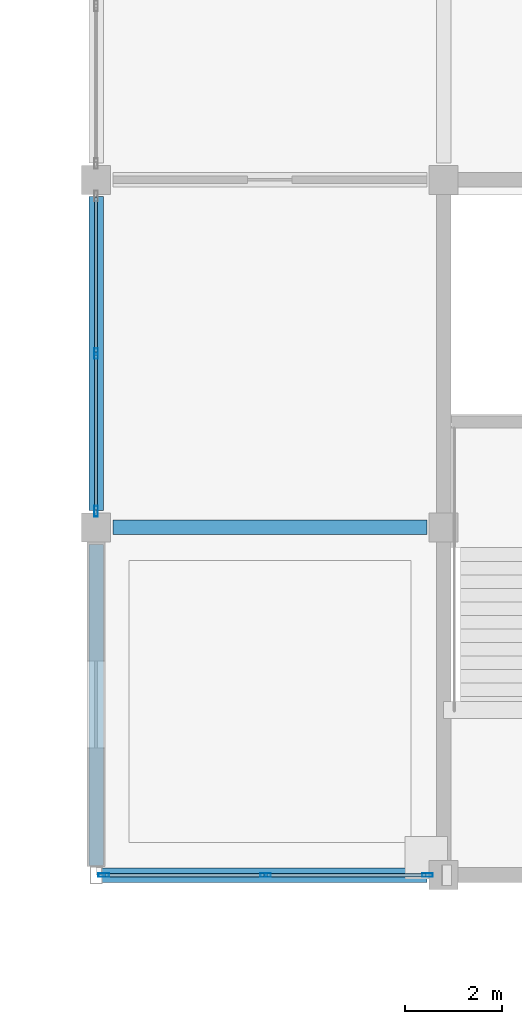
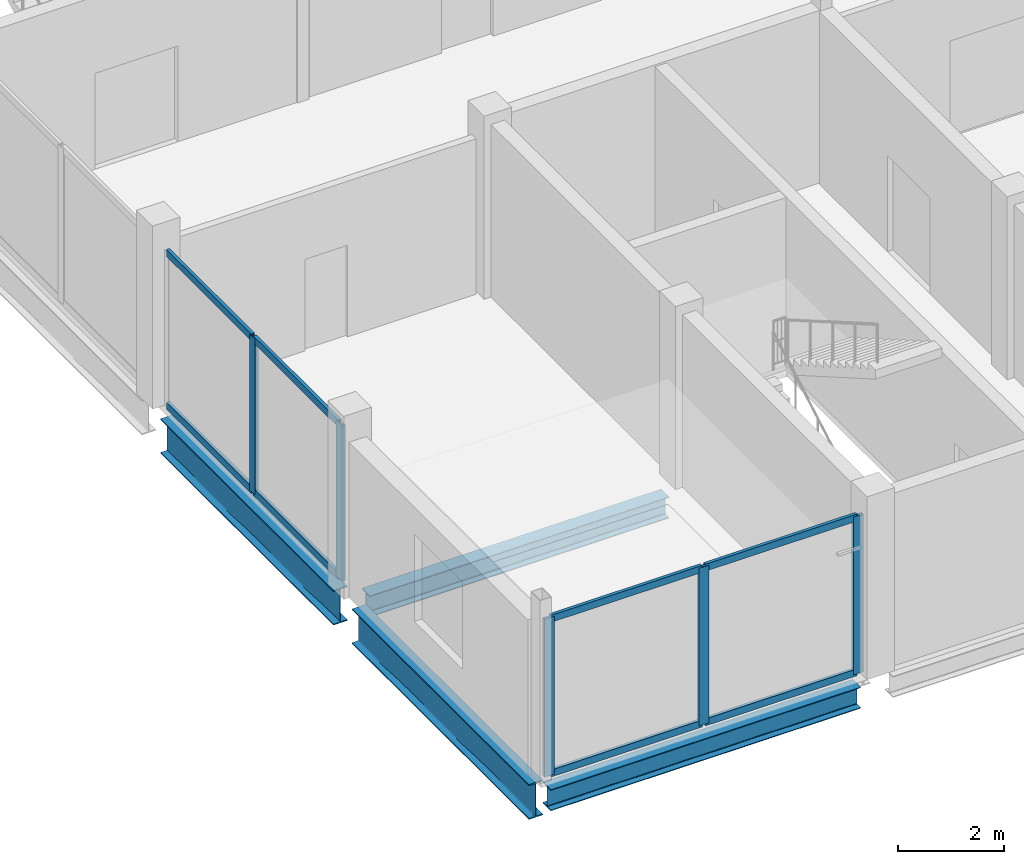
# One storey, part 9 of 51: 13 members, 4 beams, 2 elements without a shape of their own.
"""IFC4 building model written with IfcOpenShell, lengths in metres."""

from ifc_helpers import new_model, si_unit, direction, frame, origin, origin_2d, place, context, subcontext, project, spatial, hollow_rectangle, i_section, extrude, material, material_profile, profile_set, type_object, element, aggregate, save


model = new_model("IFC4")

# Units and contexts
model_context = context("Model", 3, precision=1e-05, world=origin(), true_north=direction((0.0, 1.0)))
body_context = subcontext(model_context, "Body", "Model", "MODEL_VIEW")
ifc_project = project(units=[si_unit("LENGTHUNIT", "METRE"), si_unit("AREAUNIT", "SQUARE_METRE"), si_unit("VOLUMEUNIT", "CUBIC_METRE"), si_unit("PLANEANGLEUNIT", "RADIAN"), si_unit("MASSUNIT", "GRAM", prefix="KILO")], contexts=[model_context])

# Site, building, storey
site_placement = place(None, origin())
site = spatial("IfcSite", under=ifc_project, at=site_placement, CompositionType="ELEMENT")
building_placement = place(site_placement, origin())
building = spatial("IfcBuilding", under=site, at=building_placement, Name="Vesperath Aquatics Centre", CompositionType="ELEMENT")
storey_placement = place(building_placement, frame((0.0, 0.0, 15.0)))
storey = spatial("IfcBuildingStorey", under=building, at=storey_placement, Name="L03", CompositionType="ELEMENT", Elevation=15.0)

# Beams
ifc_material_1 = material(Name="Steel Q355D", Category="steel")
ifc_material_profile_1 = material_profile(ifc_material_1, i_section(OverallWidth=0.300048828125, OverallDepth=0.800048828125, WebThickness=0.013916015625, FlangeThickness=0.02587890625, FilletRadius=0.028076171875, at=origin_2d()), Name="HN 800x300x14x26")
ifc_profile_set_1 = profile_set([ifc_material_profile_1], Name="Steel Q355D")
beam_type_1 = type_object("IfcBeamType", Name="BM-G07", PredefinedType="BEAM", material=ifc_profile_set_1)
beam_1_placement = place(storey_placement, frame((115.199951171875, 0.199951171875, -0.639892578125), z_axis=(0.0, 1.0, 0.0), x_axis=(-1.0, 0.0, 0.0)))
element("IfcBeam", 1, at=beam_1_placement, inside=storey, type_object=beam_type_1, Name="Floor Girder B07 L03 17 A-B", PredefinedType="BEAM", context=body_context, shape_type="SweptSolid", body=[
    extrude(i_section(OverallWidth=0.300048828125, OverallDepth=0.800048828125, WebThickness=0.013916015625, FlangeThickness=0.02587890625, FilletRadius=0.028076171875, at=origin_2d()), origin(), (0.0, 0.0, 1.0), 6.650146484375),
])
beam_2_placement = place(storey_placement, frame((115.199951171875, 7.550048828125, -0.639892578125), z_axis=(0.0, 1.0, 0.0), x_axis=(-1.0, 0.0, 0.0)))
element("IfcBeam", 2, at=beam_2_placement, inside=storey, type_object=beam_type_1, Name="Floor Girder B07 L03 17 B-C", PredefinedType="BEAM", context=body_context, shape_type="SweptSolid", body=[
    extrude(i_section(OverallWidth=0.300048828125, OverallDepth=0.800048828125, WebThickness=0.013916015625, FlangeThickness=0.02587890625, FilletRadius=0.028076171875, at=origin_2d()), origin(), (0.0, 0.0, 1.0), 6.5),
])
ifc_material_2 = material(Name="Steel Q355C", Category="steel")
ifc_material_profile_2 = material_profile(ifc_material_2, i_section(OverallWidth=0.300048828125, OverallDepth=0.488037109375, WebThickness=0.010986328125, FlangeThickness=0.01806640625, FilletRadius=0.02587890625, at=origin_2d()), Name="HM 488x300x11x18")
ifc_profile_set_2 = profile_set([ifc_material_profile_2], Name="Steel Q355C")
beam_type_2 = type_object("IfcBeamType", Name="BM-G10", PredefinedType="BEAM", material=ifc_profile_set_2)
beam_3_placement = place(storey_placement, frame((115.324951171875, 0.0, -0.48388671875), z_axis=(1.0, 0.0, 0.0), x_axis=(0.0, 1.0, 0.0)))
element("IfcBeam", 3, at=beam_3_placement, inside=storey, type_object=beam_type_2, Name="Floor Girder B10 L03 A 17-18", PredefinedType="BEAM", context=body_context, shape_type="SweptSolid", body=[
    extrude(i_section(OverallWidth=0.300048828125, OverallDepth=0.488037109375, WebThickness=0.010986328125, FlangeThickness=0.01806640625, FilletRadius=0.02587890625, at=origin_2d()), origin(), (0.0, 0.0, 1.0), 6.72509765625),
])
beam_4_placement = place(storey_placement, frame((115.550048828125, 7.199951171875, -0.48388671875), z_axis=(1.0, 0.0, 0.0), x_axis=(0.0, 1.0, 0.0)))
element("IfcBeam", 4, at=beam_4_placement, inside=storey, type_object=beam_type_2, Name="Floor Girder B10 L03 B 17-18", PredefinedType="BEAM", context=body_context, shape_type="SweptSolid", body=[
    extrude(i_section(OverallWidth=0.300048828125, OverallDepth=0.488037109375, WebThickness=0.010986328125, FlangeThickness=0.01806640625, FilletRadius=0.02587890625, at=origin_2d()), origin(), (0.0, 0.0, 1.0), 6.5),
])

# Curtain wall, members
ifc_material_3 = material(Name="Thermally broken anodised bronze aluminium curtain wall", Category="aluminium")
curtain_wall_type = type_object("IfcCurtainWallType", Name="CW-07", PredefinedType="NOTDEFINED", material=ifc_material_3)
curtain_wall_1_placement = place(storey_placement, origin())
curtain_wall_1 = element("IfcCurtainWall", 5, at=curtain_wall_1_placement, inside=storey, type_object=curtain_wall_type, Name="Facade Curtain Wall CW07 L03_S_16_00", PredefinedType="NOTDEFINED")
ifc_material_4 = material(Name="Thermally broken anodised aluminium", Category="aluminium")
ifc_material_profile_3 = material_profile(ifc_material_4, hollow_rectangle(XDim=0.070068359375, YDim=0.219970703125, WallThickness=0.0048828125, at=origin_2d()), Name="CWM 70x220x5")
ifc_profile_set_3 = profile_set([ifc_material_profile_3], Name="Thermally broken anodised aluminium")
member_type_1 = type_object("IfcMemberType", Name="MB-CWM2", PredefinedType="MULLION", material=ifc_profile_set_3)
member_1_placement = place(storey_placement, frame((115.360107421875, 0.0, 0.0), z_axis=(0.0, 0.0, 1.0), x_axis=(0.0, 1.0, 0.0)))
member_1 = element("IfcMember", 6, at=member_1_placement, type_object=member_type_1, Name="CW07 mullion 1", PredefinedType="MULLION", context=body_context, shape_type="SweptSolid", body=[
    extrude(hollow_rectangle(XDim=0.070068359375, YDim=0.219970703125, WallThickness=0.0048828125, at=origin_2d()), origin(), (0.0, 0.0, 1.0), 3.6201171875),
])
member_2_placement = place(storey_placement, frame((118.71240234375, 0.0, 0.0), z_axis=(0.0, 0.0, 1.0), x_axis=(0.0, 1.0, 0.0)))
member_2 = element("IfcMember", 7, at=member_2_placement, type_object=member_type_1, Name="CW07 mullion 2", PredefinedType="MULLION", context=body_context, shape_type="SweptSolid", body=[
    extrude(hollow_rectangle(XDim=0.070068359375, YDim=0.219970703125, WallThickness=0.0048828125, at=origin_2d()), origin(), (0.0, 0.0, 1.0), 3.6201171875),
])
member_3_placement = place(storey_placement, frame((122.06494140625, 0.0, 0.0), z_axis=(0.0, 0.0, 1.0), x_axis=(0.0, 1.0, 0.0)))
member_3 = element("IfcMember", 8, at=member_3_placement, type_object=member_type_1, Name="CW07 mullion 3", PredefinedType="MULLION", context=body_context, shape_type="SweptSolid", body=[
    extrude(hollow_rectangle(XDim=0.070068359375, YDim=0.219970703125, WallThickness=0.0048828125, at=origin_2d()), origin(), (0.0, 0.0, 1.0), 3.6201171875),
])

curtain_wall_2_placement = place(storey_placement, origin())
curtain_wall_2 = element("IfcCurtainWall", 9, at=curtain_wall_2_placement, inside=storey, type_object=curtain_wall_type, Name="Facade Curtain Wall CW07 L03_W_16_01", PredefinedType="NOTDEFINED")
member_4_placement = place(storey_placement, frame((115.199951171875, 7.534912109375, 0.0), z_axis=(0.0, 0.0, 1.0), x_axis=(-1.0, 0.0, 0.0)))
member_4 = element("IfcMember", 10, at=member_4_placement, type_object=member_type_1, Name="CW07 mullion 1", PredefinedType="MULLION", context=body_context, shape_type="SweptSolid", body=[
    extrude(hollow_rectangle(XDim=0.070068359375, YDim=0.219970703125, WallThickness=0.0048828125, at=origin_2d()), origin(), (0.0, 0.0, 1.0), 3.570068359375),
])
member_5_placement = place(storey_placement, frame((115.199951171875, 10.800048828125, 0.0), z_axis=(0.0, 0.0, 1.0), x_axis=(-1.0, 0.0, 0.0)))
member_5 = element("IfcMember", 11, at=member_5_placement, type_object=member_type_1, Name="CW07 mullion 2", PredefinedType="MULLION", context=body_context, shape_type="SweptSolid", body=[
    extrude(hollow_rectangle(XDim=0.070068359375, YDim=0.219970703125, WallThickness=0.0048828125, at=origin_2d()), origin(), (0.0, 0.0, 1.0), 3.570068359375),
])

# Member
ifc_material_profile_4 = material_profile(ifc_material_4, hollow_rectangle(XDim=0.070068359375, YDim=0.159912109375, WallThickness=0.0048828125, at=origin_2d()), Name="CWT 70x160x5")
ifc_profile_set_4 = profile_set([ifc_material_profile_4], Name="Thermally broken anodised aluminium")
member_type_2 = type_object("IfcMemberType", Name="MB-CWT2", PredefinedType="USERDEFINED", material=ifc_profile_set_4)
member_6_placement = place(storey_placement, frame((115.39501953125, 0.0, 0.034912109375), z_axis=(1.0, 0.0, 0.0), x_axis=(0.0, 1.0, 0.0)))
member_6 = element("IfcMember", 12, at=member_6_placement, type_object=member_type_2, Name="CW07 transom 1.1", ObjectType="TRANSOM", PredefinedType="USERDEFINED", context=body_context, shape_type="SweptSolid", body=[
    extrude(hollow_rectangle(XDim=0.070068359375, YDim=0.159912109375, WallThickness=0.0048828125, at=origin_2d()), origin(), (0.0, 0.0, 1.0), 3.282470703125),
])

member_7_placement = place(storey_placement, frame((115.39501953125, 0.0, 3.5849609375), z_axis=(1.0, 0.0, 0.0), x_axis=(0.0, 1.0, 0.0)))
member_7 = element("IfcMember", 13, at=member_7_placement, type_object=member_type_2, Name="CW07 transom 1.2", ObjectType="TRANSOM", PredefinedType="USERDEFINED", context=body_context, shape_type="SweptSolid", body=[
    extrude(hollow_rectangle(XDim=0.070068359375, YDim=0.159912109375, WallThickness=0.0048828125, at=origin_2d()), origin(), (0.0, 0.0, 1.0), 3.282470703125),
])

member_8_placement = place(storey_placement, frame((118.74755859375, 0.0, 0.034912109375), z_axis=(1.0, 0.0, 0.0), x_axis=(0.0, 1.0, 0.0)))
member_8 = element("IfcMember", 14, at=member_8_placement, type_object=member_type_2, Name="CW07 transom 2.1", ObjectType="TRANSOM", PredefinedType="USERDEFINED", context=body_context, shape_type="SweptSolid", body=[
    extrude(hollow_rectangle(XDim=0.070068359375, YDim=0.159912109375, WallThickness=0.0048828125, at=origin_2d()), origin(), (0.0, 0.0, 1.0), 3.282470703125),
])

member_9_placement = place(storey_placement, frame((118.74755859375, 0.0, 3.5849609375), z_axis=(1.0, 0.0, 0.0), x_axis=(0.0, 1.0, 0.0)))
member_9 = element("IfcMember", 15, at=member_9_placement, type_object=member_type_2, Name="CW07 transom 2.2", ObjectType="TRANSOM", PredefinedType="USERDEFINED", context=body_context, shape_type="SweptSolid", body=[
    extrude(hollow_rectangle(XDim=0.070068359375, YDim=0.159912109375, WallThickness=0.0048828125, at=origin_2d()), origin(), (0.0, 0.0, 1.0), 3.282470703125),
])

aggregate(curtain_wall_1, [member_1, member_2, member_3, member_6, member_7, member_8, member_9])

member_10_placement = place(storey_placement, frame((115.199951171875, 7.570068359375, 0.034912109375), z_axis=(0.0, 1.0, 0.0), x_axis=(-1.0, 0.0, 0.0)))
member_10 = element("IfcMember", 16, at=member_10_placement, type_object=member_type_2, Name="CW07 transom 1.1", ObjectType="TRANSOM", PredefinedType="USERDEFINED", context=body_context, shape_type="SweptSolid", body=[
    extrude(hollow_rectangle(XDim=0.070068359375, YDim=0.159912109375, WallThickness=0.0048828125, at=origin_2d()), origin(), (0.0, 0.0, 1.0), 3.19482421875),
])

member_11_placement = place(storey_placement, frame((115.199951171875, 7.570068359375, 3.534912109375), z_axis=(0.0, 1.0, 0.0), x_axis=(-1.0, 0.0, 0.0)))
member_11 = element("IfcMember", 17, at=member_11_placement, type_object=member_type_2, Name="CW07 transom 1.2", ObjectType="TRANSOM", PredefinedType="USERDEFINED", context=body_context, shape_type="SweptSolid", body=[
    extrude(hollow_rectangle(XDim=0.070068359375, YDim=0.159912109375, WallThickness=0.0048828125, at=origin_2d()), origin(), (0.0, 0.0, 1.0), 3.19482421875),
])

member_12_placement = place(storey_placement, frame((115.199951171875, 10.8349609375, 0.034912109375), z_axis=(0.0, 1.0, 0.0), x_axis=(-1.0, 0.0, 0.0)))
member_12 = element("IfcMember", 18, at=member_12_placement, type_object=member_type_2, Name="CW07 transom 2.1", ObjectType="TRANSOM", PredefinedType="USERDEFINED", context=body_context, shape_type="SweptSolid", body=[
    extrude(hollow_rectangle(XDim=0.070068359375, YDim=0.159912109375, WallThickness=0.0048828125, at=origin_2d()), origin(), (0.0, 0.0, 1.0), 3.195068359375),
])

member_13_placement = place(storey_placement, frame((115.199951171875, 10.8349609375, 3.534912109375), z_axis=(0.0, 1.0, 0.0), x_axis=(-1.0, 0.0, 0.0)))
member_13 = element("IfcMember", 19, at=member_13_placement, type_object=member_type_2, Name="CW07 transom 2.2", ObjectType="TRANSOM", PredefinedType="USERDEFINED", context=body_context, shape_type="SweptSolid", body=[
    extrude(hollow_rectangle(XDim=0.070068359375, YDim=0.159912109375, WallThickness=0.0048828125, at=origin_2d()), origin(), (0.0, 0.0, 1.0), 3.195068359375),
])

aggregate(curtain_wall_2, [member_4, member_5, member_10, member_11, member_12, member_13])

save(model, "model.ifc")
